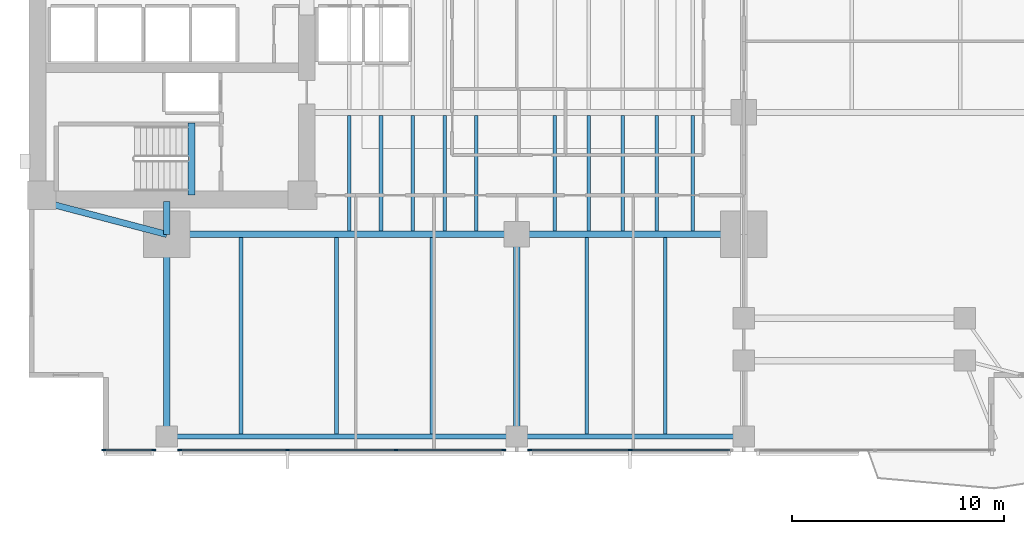
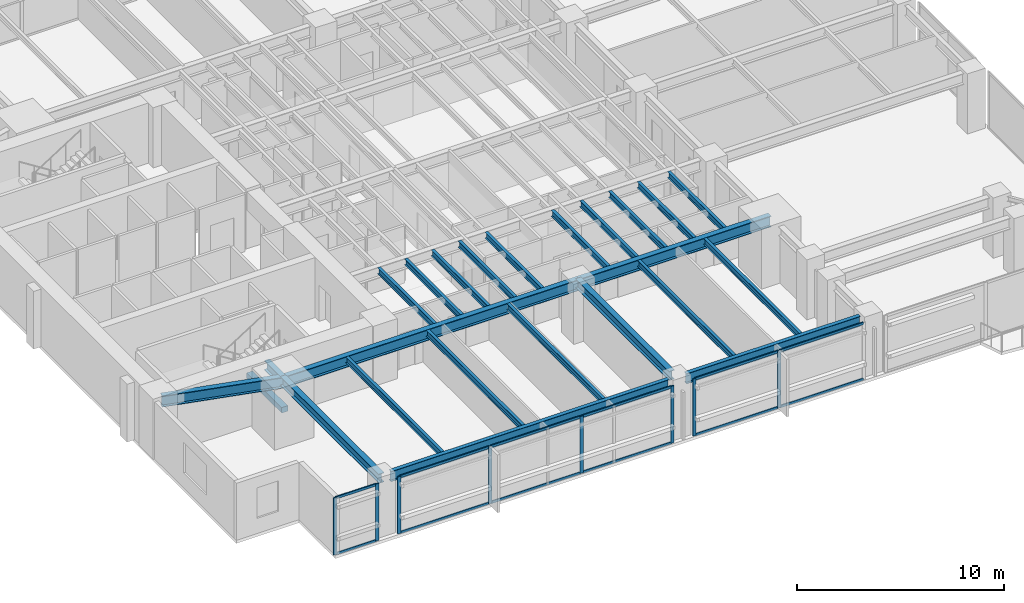
# One storey, part 2 of 15: 24 beams, 20 members, 3 elements without a shape of their own.
"""IFC4 building model written with IfcOpenShell, lengths in metres."""

from ifc_helpers import new_model, si_unit, direction, frame, origin, origin_2d, place, context, subcontext, project, spatial, rectangle, i_section, extrude, material, layer, layer_set, material_profile, profile_set, type_object, element, aggregate, save


model = new_model("IFC4")

# Units and contexts
model_context = context("Model", 3, precision=1e-05, world=origin(), true_north=direction((0.0, 1.0)))
body_context = subcontext(model_context, "Body", "Model", "MODEL_VIEW")
ifc_project = project(units=[si_unit("LENGTHUNIT", "METRE"), si_unit("AREAUNIT", "SQUARE_METRE"), si_unit("VOLUMEUNIT", "CUBIC_METRE"), si_unit("PLANEANGLEUNIT", "RADIAN"), si_unit("MASSUNIT", "GRAM", prefix="KILO")], contexts=[model_context])

# Site, building, storey
site_placement = place(None, origin())
site = spatial("IfcSite", under=ifc_project, at=site_placement, CompositionType="ELEMENT")
building_placement = place(site_placement, origin())
building = spatial("IfcBuilding", under=site, at=building_placement, Name="Kinhvarn Gate Tower", CompositionType="ELEMENT")
storey_placement = place(building_placement, frame((0.0, 0.0, 57.550048828125)))
storey = spatial("IfcBuildingStorey", under=building, at=storey_placement, Name="L14", CompositionType="ELEMENT", Elevation=57.550048828125)

# Beam
ifc_material_1 = material(Name="Concrete C50/60", Category="concrete")
ifc_material_profile_1 = material_profile(ifc_material_1, rectangle(XDim=0.340087890625, YDim=0.320068359375, at=origin_2d()), Name="RC 340x320")
ifc_profile_set_1 = profile_set([ifc_material_profile_1], Name="Concrete C50/60")
beam_type_1 = type_object("IfcBeamType", Name="BM-LND-500", PredefinedType="BEAM", material=ifc_profile_set_1)
beam_1_placement = place(storey_placement, frame((12.1650390625, 14.60009765625, -0.16015625), z_axis=(0.0, 1.0, 0.0), x_axis=(-1.0, 0.0, 0.0)))
element("IfcBeam", 1, at=beam_1_placement, inside=storey, type_object=beam_type_1, Name="Stair ST1 Landing Nosing Beam (L14)", PredefinedType="BEAM", context=body_context, shape_type="SweptSolid", body=[
    extrude(rectangle(XDim=0.340087890625, YDim=0.320068359375, at=origin_2d()), origin(), (0.0, 0.0, 1.0), 3.39990234375),
])

# Curtain wall, members
ifc_material_2 = material(Name="Anodised aluminium AW-6063", Category="aluminium")
ifc_layer = layer(ifc_material_2, 0.179931640625)
ifc_layer_set = layer_set([ifc_layer], Name="Anodised aluminium AW-6063")
curtain_wall_type = type_object("IfcCurtainWallType", Name="CW-SYS-2", PredefinedType="NOTDEFINED", material=ifc_layer_set)
curtain_wall_1_placement = place(storey_placement, origin())
curtain_wall_1 = element("IfcCurtainWall", 2, at=curtain_wall_1_placement, inside=storey, type_object=curtain_wall_type, Name="Curtain Wall CW2 (L14)", PredefinedType="NOTDEFINED")
ifc_material_profile_2 = material_profile(ifc_material_2, rectangle(XDim=0.070068359375, YDim=0.179931640625, at=origin_2d()), Name="ALU 70x180")
ifc_profile_set_2 = profile_set([ifc_material_profile_2], Name="Anodised aluminium AW-6063")
member_type_1 = type_object("IfcMemberType", Name="CW-MUL-180", PredefinedType="MULLION", material=ifc_profile_set_2)
member_1_placement = place(storey_placement, frame((8.034912109375, 2.590087890625, 0.0), z_axis=(0.0, 0.0, 1.0), x_axis=(0.0, 1.0, 0.0)))
member_1 = element("IfcMember", 3, at=member_1_placement, type_object=member_type_1, Name="CW2 mullion 1", PredefinedType="MULLION", context=body_context, shape_type="SweptSolid", body=[
    extrude(rectangle(XDim=0.070068359375, YDim=0.179931640625, at=origin_2d()), origin(), (0.0, 0.0, 1.0), 3.369873046875),
])
member_2_placement = place(storey_placement, frame((10.385009765625, 2.590087890625, 0.0), z_axis=(0.0, 0.0, 1.0), x_axis=(0.0, 1.0, 0.0)))
member_2 = element("IfcMember", 4, at=member_2_placement, type_object=member_type_1, Name="CW2 mullion 2", PredefinedType="MULLION", context=body_context, shape_type="SweptSolid", body=[
    extrude(rectangle(XDim=0.070068359375, YDim=0.179931640625, at=origin_2d()), origin(), (0.0, 0.0, 1.0), 3.369873046875),
])

curtain_wall_2_placement = place(storey_placement, origin())
curtain_wall_2 = element("IfcCurtainWall", 5, at=curtain_wall_2_placement, inside=storey, type_object=curtain_wall_type, Name="Curtain Wall CW2 (L14)", PredefinedType="NOTDEFINED")
member_3_placement = place(storey_placement, frame((11.614990234375, 2.590087890625, 0.0), z_axis=(0.0, 0.0, 1.0), x_axis=(0.0, 1.0, 0.0)))
member_3 = element("IfcMember", 6, at=member_3_placement, type_object=member_type_1, Name="CW2 mullion 1", PredefinedType="MULLION", context=body_context, shape_type="SweptSolid", body=[
    extrude(rectangle(XDim=0.070068359375, YDim=0.179931640625, at=origin_2d()), origin(), (0.0, 0.0, 1.0), 3.369873046875),
])
member_4_placement = place(storey_placement, frame((16.693359375, 2.590087890625, 0.0), z_axis=(0.0, 0.0, 1.0), x_axis=(0.0, 1.0, 0.0)))
member_4 = element("IfcMember", 7, at=member_4_placement, type_object=member_type_1, Name="CW2 mullion 2", PredefinedType="MULLION", context=body_context, shape_type="SweptSolid", body=[
    extrude(rectangle(XDim=0.070068359375, YDim=0.179931640625, at=origin_2d()), origin(), (0.0, 0.0, 1.0), 3.369873046875),
])
member_5_placement = place(storey_placement, frame((21.806640625, 2.590087890625, 0.0), z_axis=(0.0, 0.0, 1.0), x_axis=(0.0, 1.0, 0.0)))
member_5 = element("IfcMember", 8, at=member_5_placement, type_object=member_type_1, Name="CW2 mullion 3", PredefinedType="MULLION", context=body_context, shape_type="SweptSolid", body=[
    extrude(rectangle(XDim=0.070068359375, YDim=0.179931640625, at=origin_2d()), origin(), (0.0, 0.0, 1.0), 3.369873046875),
])
member_6_placement = place(storey_placement, frame((26.885009765625, 2.590087890625, 0.0), z_axis=(0.0, 0.0, 1.0), x_axis=(0.0, 1.0, 0.0)))
member_6 = element("IfcMember", 9, at=member_6_placement, type_object=member_type_1, Name="CW2 mullion 4", PredefinedType="MULLION", context=body_context, shape_type="SweptSolid", body=[
    extrude(rectangle(XDim=0.070068359375, YDim=0.179931640625, at=origin_2d()), origin(), (0.0, 0.0, 1.0), 3.369873046875),
])

curtain_wall_3_placement = place(storey_placement, origin())
curtain_wall_3 = element("IfcCurtainWall", 10, at=curtain_wall_3_placement, inside=storey, type_object=curtain_wall_type, Name="Curtain Wall CW2 (L14)", PredefinedType="NOTDEFINED")
member_7_placement = place(storey_placement, frame((28.114990234375, 2.590087890625, 0.0), z_axis=(0.0, 0.0, 1.0), x_axis=(0.0, 1.0, 0.0)))
member_7 = element("IfcMember", 11, at=member_7_placement, type_object=member_type_1, Name="CW2 mullion 1", PredefinedType="MULLION", context=body_context, shape_type="SweptSolid", body=[
    extrude(rectangle(XDim=0.070068359375, YDim=0.179931640625, at=origin_2d()), origin(), (0.0, 0.0, 1.0), 3.369873046875),
])
member_8_placement = place(storey_placement, frame((32.85009765625, 2.590087890625, 0.0), z_axis=(0.0, 0.0, 1.0), x_axis=(0.0, 1.0, 0.0)))
member_8 = element("IfcMember", 12, at=member_8_placement, type_object=member_type_1, Name="CW2 mullion 2", PredefinedType="MULLION", context=body_context, shape_type="SweptSolid", body=[
    extrude(rectangle(XDim=0.070068359375, YDim=0.179931640625, at=origin_2d()), origin(), (0.0, 0.0, 1.0), 3.369873046875),
])

# Member
ifc_material_profile_3 = material_profile(ifc_material_2, rectangle(XDim=0.070068359375, YDim=0.139892578125, at=origin_2d()), Name="ALU 70x140")
ifc_profile_set_3 = profile_set([ifc_material_profile_3], Name="Anodised aluminium AW-6063")
member_type_2 = type_object("IfcMemberType", Name="CW-TRN-140", PredefinedType="USERDEFINED", material=ifc_profile_set_3)
member_9_placement = place(storey_placement, frame((8.070068359375, 2.590087890625, 0.034912109375), z_axis=(1.0, 0.0, 0.0), x_axis=(0.0, 1.0, 0.0)))
member_9 = element("IfcMember", 13, at=member_9_placement, type_object=member_type_2, Name="CW2 transom 1.1", ObjectType="TRANSOM", PredefinedType="USERDEFINED", context=body_context, shape_type="SweptSolid", body=[
    extrude(rectangle(XDim=0.070068359375, YDim=0.139892578125, at=origin_2d()), origin(), (0.0, 0.0, 1.0), 2.280029296875),
])

member_10_placement = place(storey_placement, frame((8.070068359375, 2.590087890625, 3.3349609375), z_axis=(1.0, 0.0, 0.0), x_axis=(0.0, 1.0, 0.0)))
member_10 = element("IfcMember", 14, at=member_10_placement, type_object=member_type_2, Name="CW2 transom 1.2", ObjectType="TRANSOM", PredefinedType="USERDEFINED", context=body_context, shape_type="SweptSolid", body=[
    extrude(rectangle(XDim=0.070068359375, YDim=0.139892578125, at=origin_2d()), origin(), (0.0, 0.0, 1.0), 2.280029296875),
])

aggregate(curtain_wall_1, [member_1, member_2, member_9, member_10])

member_11_placement = place(storey_placement, frame((11.64990234375, 2.590087890625, 0.034912109375), z_axis=(1.0, 0.0, 0.0), x_axis=(0.0, 1.0, 0.0)))
member_11 = element("IfcMember", 15, at=member_11_placement, type_object=member_type_2, Name="CW2 transom 1.1", ObjectType="TRANSOM", PredefinedType="USERDEFINED", context=body_context, shape_type="SweptSolid", body=[
    extrude(rectangle(XDim=0.070068359375, YDim=0.139892578125, at=origin_2d()), origin(), (0.0, 0.0, 1.0), 5.008544921875),
])

member_12_placement = place(storey_placement, frame((11.64990234375, 2.590087890625, 3.3349609375), z_axis=(1.0, 0.0, 0.0), x_axis=(0.0, 1.0, 0.0)))
member_12 = element("IfcMember", 16, at=member_12_placement, type_object=member_type_2, Name="CW2 transom 1.2", ObjectType="TRANSOM", PredefinedType="USERDEFINED", context=body_context, shape_type="SweptSolid", body=[
    extrude(rectangle(XDim=0.070068359375, YDim=0.139892578125, at=origin_2d()), origin(), (0.0, 0.0, 1.0), 5.008544921875),
])

member_13_placement = place(storey_placement, frame((16.728271484375, 2.590087890625, 0.034912109375), z_axis=(1.0, 0.0, 0.0), x_axis=(0.0, 1.0, 0.0)))
member_13 = element("IfcMember", 17, at=member_13_placement, type_object=member_type_2, Name="CW2 transom 2.1", ObjectType="TRANSOM", PredefinedType="USERDEFINED", context=body_context, shape_type="SweptSolid", body=[
    extrude(rectangle(XDim=0.070068359375, YDim=0.139892578125, at=origin_2d()), origin(), (0.0, 0.0, 1.0), 5.04345703125),
])

member_14_placement = place(storey_placement, frame((16.728271484375, 2.590087890625, 3.3349609375), z_axis=(1.0, 0.0, 0.0), x_axis=(0.0, 1.0, 0.0)))
member_14 = element("IfcMember", 18, at=member_14_placement, type_object=member_type_2, Name="CW2 transom 2.2", ObjectType="TRANSOM", PredefinedType="USERDEFINED", context=body_context, shape_type="SweptSolid", body=[
    extrude(rectangle(XDim=0.070068359375, YDim=0.139892578125, at=origin_2d()), origin(), (0.0, 0.0, 1.0), 5.04345703125),
])

member_15_placement = place(storey_placement, frame((21.841552734375, 2.590087890625, 0.034912109375), z_axis=(1.0, 0.0, 0.0), x_axis=(0.0, 1.0, 0.0)))
member_15 = element("IfcMember", 19, at=member_15_placement, type_object=member_type_2, Name="CW2 transom 3.1", ObjectType="TRANSOM", PredefinedType="USERDEFINED", context=body_context, shape_type="SweptSolid", body=[
    extrude(rectangle(XDim=0.070068359375, YDim=0.139892578125, at=origin_2d()), origin(), (0.0, 0.0, 1.0), 5.008544921875),
])

member_16_placement = place(storey_placement, frame((21.841552734375, 2.590087890625, 3.3349609375), z_axis=(1.0, 0.0, 0.0), x_axis=(0.0, 1.0, 0.0)))
member_16 = element("IfcMember", 20, at=member_16_placement, type_object=member_type_2, Name="CW2 transom 3.2", ObjectType="TRANSOM", PredefinedType="USERDEFINED", context=body_context, shape_type="SweptSolid", body=[
    extrude(rectangle(XDim=0.070068359375, YDim=0.139892578125, at=origin_2d()), origin(), (0.0, 0.0, 1.0), 5.008544921875),
])

aggregate(curtain_wall_2, [member_3, member_4, member_5, member_6, member_11, member_12, member_13, member_14, member_15, member_16])

member_17_placement = place(storey_placement, frame((28.14990234375, 2.590087890625, 0.034912109375), z_axis=(1.0, 0.0, 0.0), x_axis=(0.0, 1.0, 0.0)))
member_17 = element("IfcMember", 21, at=member_17_placement, type_object=member_type_2, Name="CW2 transom 1.1", ObjectType="TRANSOM", PredefinedType="USERDEFINED", context=body_context, shape_type="SweptSolid", body=[
    extrude(rectangle(XDim=0.070068359375, YDim=0.139892578125, at=origin_2d()), origin(), (0.0, 0.0, 1.0), 4.6650390625),
])

member_18_placement = place(storey_placement, frame((28.14990234375, 2.590087890625, 3.3349609375), z_axis=(1.0, 0.0, 0.0), x_axis=(0.0, 1.0, 0.0)))
member_18 = element("IfcMember", 22, at=member_18_placement, type_object=member_type_2, Name="CW2 transom 1.2", ObjectType="TRANSOM", PredefinedType="USERDEFINED", context=body_context, shape_type="SweptSolid", body=[
    extrude(rectangle(XDim=0.070068359375, YDim=0.139892578125, at=origin_2d()), origin(), (0.0, 0.0, 1.0), 4.6650390625),
])

member_19_placement = place(storey_placement, frame((32.885009765625, 2.590087890625, 0.034912109375), z_axis=(1.0, 0.0, 0.0), x_axis=(0.0, 1.0, 0.0)))
member_19 = element("IfcMember", 23, at=member_19_placement, type_object=member_type_2, Name="CW2 transom 2.1", ObjectType="TRANSOM", PredefinedType="USERDEFINED", context=body_context, shape_type="SweptSolid", body=[
    extrude(rectangle(XDim=0.070068359375, YDim=0.139892578125, at=origin_2d()), origin(), (0.0, 0.0, 1.0), 4.6650390625),
])

member_20_placement = place(storey_placement, frame((32.885009765625, 2.590087890625, 3.3349609375), z_axis=(1.0, 0.0, 0.0), x_axis=(0.0, 1.0, 0.0)))
member_20 = element("IfcMember", 24, at=member_20_placement, type_object=member_type_2, Name="CW2 transom 2.2", ObjectType="TRANSOM", PredefinedType="USERDEFINED", context=body_context, shape_type="SweptSolid", body=[
    extrude(rectangle(XDim=0.070068359375, YDim=0.139892578125, at=origin_2d()), origin(), (0.0, 0.0, 1.0), 4.6650390625),
])

aggregate(curtain_wall_3, [member_7, member_8, member_17, member_18, member_19, member_20])

# Beams
ifc_material_3 = material(Name="Steel S355", Category="steel")
ifc_material_profile_4 = material_profile(ifc_material_3, i_section(OverallWidth=0.300048828125, OverallDepth=0.550048828125, WebThickness=0.014892578125, FlangeThickness=0.029052734375, at=origin_2d()), Name="HEB 550")
ifc_profile_set_4 = profile_set([ifc_material_profile_4], Name="Steel S355")
beam_type_2 = type_object("IfcBeamType", Name="STL-HEB550", PredefinedType="BEAM", material=ifc_profile_set_4)
beam_2_placement = place(storey_placement, frame((11.0, 3.219970703125, 3.094970703125), z_axis=(0.0, 1.0, 0.0), x_axis=(-1.0, 0.0, 0.0)))
element("IfcBeam", 25, at=beam_2_placement, inside=storey, type_object=beam_type_2, Name="Floor Beam PG-15 (L14 MCW-S)", PredefinedType="BEAM", context=body_context, shape_type="SweptSolid", body=[
    extrude(i_section(OverallWidth=0.300048828125, OverallDepth=0.550048828125, WebThickness=0.014892578125, FlangeThickness=0.029052734375, at=origin_2d()), origin(), (0.0, 0.0, 1.0), 9.530029296875),
])
beam_3_placement = place(storey_placement, frame((11.0, 12.75, 3.094970703125), z_axis=(0.0, 1.0, 0.0), x_axis=(-1.0, 0.0, 0.0)))
element("IfcBeam", 26, at=beam_3_placement, inside=storey, type_object=beam_type_2, Name="Floor Beam PG-15 (L14 MCW-CS)", PredefinedType="BEAM", context=body_context, shape_type="SweptSolid", body=[
    extrude(i_section(OverallWidth=0.300048828125, OverallDepth=0.550048828125, WebThickness=0.014892578125, FlangeThickness=0.029052734375, at=origin_2d()), origin(), (0.0, 0.0, 1.0), 1.550048828125),
])
beam_4_placement = place(storey_placement, frame((27.5, 3.705078125, 3.094970703125), z_axis=(0.0, 1.0, 0.0), x_axis=(-1.0, 0.0, 0.0)))
element("IfcBeam", 27, at=beam_4_placement, inside=storey, type_object=beam_type_2, Name="Floor Beam PG-15 (L14 SP27-S-TIE)", PredefinedType="BEAM", context=body_context, shape_type="SweptSolid", body=[
    extrude(i_section(OverallWidth=0.300048828125, OverallDepth=0.550048828125, WebThickness=0.014892578125, FlangeThickness=0.029052734375, at=origin_2d()), origin(), (0.0, 0.0, 1.0), 9.044921875),
])
ifc_material_profile_5 = material_profile(ifc_material_3, i_section(OverallWidth=0.300048828125, OverallDepth=0.64990234375, WebThickness=0.01611328125, FlangeThickness=0.031005859375, at=origin_2d()), Name="HEB 650")
ifc_profile_set_5 = profile_set([ifc_material_profile_5], Name="Steel S355")
beam_type_3 = type_object("IfcBeamType", Name="STL-HEB650", PredefinedType="BEAM", material=ifc_profile_set_5)
beam_5_placement = place(storey_placement, frame((11.0, 12.75, 3.044921875), z_axis=(1.0, 0.0, 0.0), x_axis=(0.0, 1.0, 0.0)))
element("IfcBeam", 28, at=beam_5_placement, inside=storey, type_object=beam_type_3, Name="Floor Beam PG-17 (L14 MG-S1)", PredefinedType="BEAM", context=body_context, shape_type="SweptSolid", body=[
    extrude(i_section(OverallWidth=0.300048828125, OverallDepth=0.64990234375, WebThickness=0.01611328125, FlangeThickness=0.031005859375, at=origin_2d()), origin(), (0.0, 0.0, 1.0), 16.5),
])
beam_6_placement = place(storey_placement, frame((27.5, 12.75, 3.044921875), z_axis=(1.0, 0.0, 0.0), x_axis=(0.0, 1.0, 0.0)))
element("IfcBeam", 29, at=beam_6_placement, inside=storey, type_object=beam_type_3, Name="Floor Beam PG-17 (L14 MG-S2)", PredefinedType="BEAM", context=body_context, shape_type="SweptSolid", body=[
    extrude(i_section(OverallWidth=0.300048828125, OverallDepth=0.64990234375, WebThickness=0.01611328125, FlangeThickness=0.031005859375, at=origin_2d()), origin(), (0.0, 0.0, 1.0), 10.699951171875),
])
beam_7_placement = place(storey_placement, frame((5.10009765625, 14.300048828125, 3.044921875), z_axis=(0.967177623957, -0.254101246979, 0.0), x_axis=(0.254101246979, 0.967177623957, 0.0)))
element("IfcBeam", 30, at=beam_7_placement, inside=storey, type_object=beam_type_3, Name="Floor Beam PG-17 (L14 MG-SW-DIAG)", PredefinedType="BEAM", context=body_context, shape_type="SweptSolid", body=[
    extrude(i_section(OverallWidth=0.300048828125, OverallDepth=0.64990234375, WebThickness=0.01611328125, FlangeThickness=0.031005859375, at=origin_2d()), origin(), (0.0, 0.0, 1.0), 6.10009765625),
])
ifc_material_profile_6 = material_profile(ifc_material_3, i_section(OverallWidth=0.169921875, OverallDepth=0.360107421875, WebThickness=0.008056640625, FlangeThickness=0.0126953125, at=origin_2d()), Name="IPE 360")
ifc_profile_set_6 = profile_set([ifc_material_profile_6], Name="Steel S355")
beam_type_4 = type_object("IfcBeamType", Name="STL-IPE360", PredefinedType="JOIST", material=ifc_profile_set_6)
for number, where, z_axis, x_axis, name in (
    (31, (19.60009765625, 12.89990234375, 3.18994140625), (0.0, 1.0, 0.0), (-1.0, 0.0, 0.0), "Floor Joist SB-04 (L14 JC-X196-0)"),
    (32, (21.10009765625, 12.89990234375, 3.18994140625), (0.0, 1.0, 0.0), (-1.0, 0.0, 0.0), "Floor Joist SB-04 (L14 JC-X211-0)"),
    (33, (22.60009765625, 12.89990234375, 3.18994140625), (0.0, 1.0, 0.0), (-1.0, 0.0, 0.0), "Floor Joist SB-04 (L14 JC-X226-0)"),
    (34, (24.10009765625, 12.89990234375, 3.18994140625), (0.0, 1.0, 0.0), (-1.0, 0.0, 0.0), "Floor Joist SB-04 (L14 JC-X241-0)"),
    (35, (25.60009765625, 12.89990234375, 3.18994140625), (0.0, 1.0, 0.0), (-1.0, 0.0, 0.0), "Floor Joist SB-04 (L14 JC-X256-0)"),
    (36, (29.300048828125, 12.89990234375, 3.18994140625), (0.0, 1.0, 0.0), (-1.0, 0.0, 0.0), "Floor Joist SB-04 (L14 JC-X293-0)"),
    (37, (30.89990234375, 12.89990234375, 3.18994140625), (0.0, 1.0, 0.0), (-1.0, 0.0, 0.0), "Floor Joist SB-04 (L14 JC-X309-0)"),
    (38, (32.5, 12.89990234375, 3.18994140625), (0.0, 1.0, 0.0), (-1.0, 0.0, 0.0), "Floor Joist SB-04 (L14 JC-X325-0)"),
    (39, (34.10009765625, 12.89990234375, 3.18994140625), (0.0, 1.0, 0.0), (-1.0, 0.0, 0.0), "Floor Joist SB-04 (L14 JC-X341-0)"),
    (40, (35.800048828125, 12.89990234375, 3.18994140625), (0.0, 1.0, 0.0), (-1.0, 0.0, 0.0), "Floor Joist SB-04 (L14 JC-X358-0)"),
):
    element("IfcBeam", number, at=place(storey_placement, frame(where, z_axis=z_axis, x_axis=x_axis)), inside=storey, type_object=beam_type_4, Name=name, PredefinedType="JOIST", context=body_context, shape_type="SweptSolid", body=[
        extrude(i_section(OverallWidth=0.169921875, OverallDepth=0.360107421875, WebThickness=0.008056640625, FlangeThickness=0.0126953125, at=origin_2d()), origin(), (0.0, 0.0, 1.0), 5.4501953125),
    ])
for number, where, z_axis, x_axis, name in (
    (41, (14.5, 3.330078125, 3.18994140625), (0.0, 1.0, 0.0), (-1.0, 0.0, 0.0), "Floor Joist SB-04 (L14 JS-X145)"),
    (42, (19.0, 3.330078125, 3.18994140625), (0.0, 1.0, 0.0), (-1.0, 0.0, 0.0), "Floor Joist SB-04 (L14 JS-X190)"),
    (43, (23.5, 3.330078125, 3.18994140625), (0.0, 1.0, 0.0), (-1.0, 0.0, 0.0), "Floor Joist SB-04 (L14 JS-X235)"),
    (44, (30.800048828125, 3.330078125, 3.18994140625), (0.0, 1.0, 0.0), (-1.0, 0.0, 0.0), "Floor Joist SB-04 (L14 JS-X308)"),
    (45, (34.5, 3.330078125, 3.18994140625), (0.0, 1.0, 0.0), (-1.0, 0.0, 0.0), "Floor Joist SB-04 (L14 JS-X345)"),
):
    element("IfcBeam", number, at=place(storey_placement, frame(where, z_axis=z_axis, x_axis=x_axis)), inside=storey, type_object=beam_type_4, Name=name, PredefinedType="JOIST", context=body_context, shape_type="SweptSolid", body=[
        extrude(i_section(OverallWidth=0.169921875, OverallDepth=0.360107421875, WebThickness=0.008056640625, FlangeThickness=0.0126953125, at=origin_2d()), origin(), (0.0, 0.0, 1.0), 9.27001953125),
    ])
ifc_material_profile_7 = material_profile(ifc_material_3, i_section(OverallWidth=0.219970703125, OverallDepth=0.60009765625, WebThickness=0.011962890625, FlangeThickness=0.01904296875, at=origin_2d()), Name="IPE 600")
ifc_profile_set_7 = profile_set([ifc_material_profile_7], Name="Steel S355")
beam_type_5 = type_object("IfcBeamType", Name="STL-IPE600", PredefinedType="SPANDREL", material=ifc_profile_set_7)
beam_8_placement = place(storey_placement, frame((11.485107421875, 3.219970703125, 3.070068359375), z_axis=(1.0, 0.0, 0.0), x_axis=(0.0, 1.0, 0.0)))
element("IfcBeam", 46, at=beam_8_placement, inside=storey, type_object=beam_type_5, Name="Floor Spandrel SB-09 (L14 SP-S1)", PredefinedType="SPANDREL", context=body_context, shape_type="SweptSolid", body=[
    extrude(i_section(OverallWidth=0.219970703125, OverallDepth=0.60009765625, WebThickness=0.011962890625, FlangeThickness=0.01904296875, at=origin_2d()), origin(), (0.0, 0.0, 1.0), 15.52978515625),
])
beam_9_placement = place(storey_placement, frame((27.985107421875, 3.219970703125, 3.070068359375), z_axis=(1.0, 0.0, 0.0), x_axis=(0.0, 1.0, 0.0)))
element("IfcBeam", 47, at=beam_9_placement, inside=storey, type_object=beam_type_5, Name="Floor Spandrel SB-09 (L14 SP-S2)", PredefinedType="SPANDREL", context=body_context, shape_type="SweptSolid", body=[
    extrude(i_section(OverallWidth=0.219970703125, OverallDepth=0.60009765625, WebThickness=0.011962890625, FlangeThickness=0.01904296875, at=origin_2d()), origin(), (0.0, 0.0, 1.0), 9.72998046875),
])

save(model, "model.ifc")
